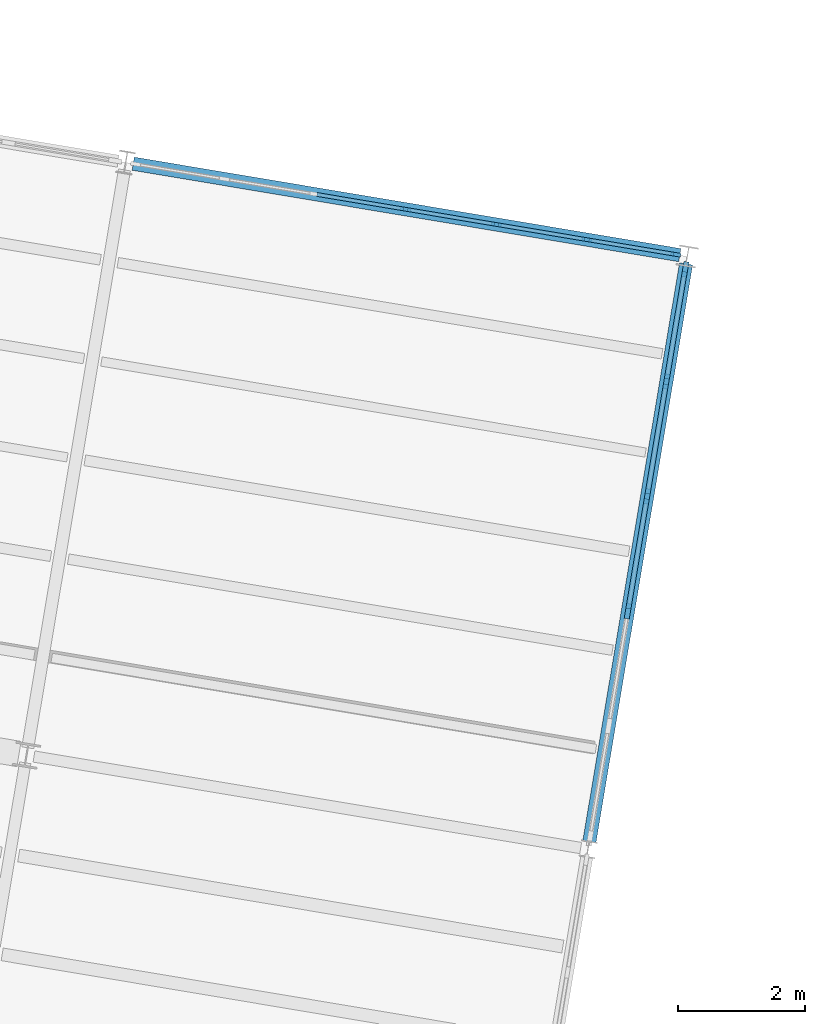
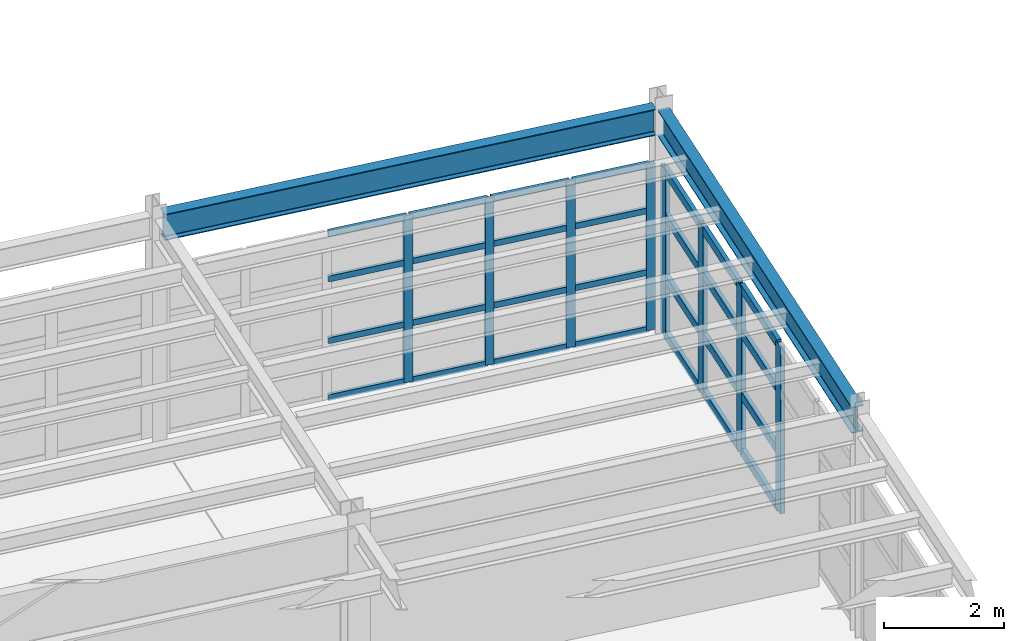
# One storey, part 45 of 102: 36 members, 2 beams, 2 elements without a shape of their own.
"""IFC4 building model written with IfcOpenShell, lengths in metres."""

from ifc_helpers import new_model, si_unit, direction, frame, origin, origin_2d, place, context, subcontext, project, spatial, rectangle, i_section, extrude, material, layer, layer_set, material_profile, profile_set, type_object, element, aggregate, save


model = new_model("IFC4")

# Units and contexts
model_context = context("Model", 3, precision=1e-05, world=origin(), true_north=direction((0.0, 1.0)))
body_context = subcontext(model_context, "Body", "Model", "MODEL_VIEW")
ifc_project = project(units=[si_unit("LENGTHUNIT", "METRE"), si_unit("AREAUNIT", "SQUARE_METRE"), si_unit("VOLUMEUNIT", "CUBIC_METRE"), si_unit("PLANEANGLEUNIT", "RADIAN"), si_unit("MASSUNIT", "GRAM", prefix="KILO")], contexts=[model_context])

# Site, building, storey
site_placement = place(None, origin())
site = spatial("IfcSite", under=ifc_project, at=site_placement, CompositionType="ELEMENT")
building_placement = place(site_placement, origin())
building = spatial("IfcBuilding", under=site, at=building_placement, Name="Vireo Bluff Cable Station", CompositionType="ELEMENT")
storey_placement = place(building_placement, frame((0.0, 0.0, 9.60009765625)))
storey = spatial("IfcBuildingStorey", under=building, at=storey_placement, Name="L02", CompositionType="ELEMENT", Elevation=9.60009765625)

# Curtain wall, members
ifc_material_1 = material(Name="Anodized Aluminium 6063-T6", Category="aluminium")
ifc_layer_1 = layer(ifc_material_1, 0.179931640625, Name="Anodized Aluminium 6063-T6")
ifc_layer_set_1 = layer_set([ifc_layer_1], Name="Anodized Aluminium 6063-T6")
curtain_wall_type_1 = type_object("IfcCurtainWallType", Name="CW-UNIT-1400", PredefinedType="USERDEFINED", material=ifc_layer_set_1)
curtain_wall_1_placement = place(storey_placement, origin())
curtain_wall_1 = element("IfcCurtainWall", 1, at=curtain_wall_1_placement, inside=storey, type_object=curtain_wall_type_1, Name="V4 L02 north curtain wall CW-102", ObjectType="UNITISED CURTAIN WALL", PredefinedType="USERDEFINED")
ifc_material_profile_1 = material_profile(ifc_material_1, rectangle(XDim=0.06005859375, YDim=0.159912109375, at=origin_2d()), Name="ALU-M-60X160")
ifc_profile_set_1 = profile_set([ifc_material_profile_1], Name="Anodized Aluminium 6063-T6")
member_type_1 = type_object("IfcMemberType", Name="CWM-03", PredefinedType="MULLION", material=ifc_profile_set_1)
member_1_placement = place(storey_placement, frame((50.134765625, 92.927001953125, 0.0), z_axis=(0.0, 0.0, 1.0), x_axis=(0.16504767482, 0.986285589997, 0.0)))
member_1 = element("IfcMember", 2, at=member_1_placement, type_object=member_type_1, Name="CW-102 mullion 4", PredefinedType="MULLION", context=body_context, shape_type="SweptSolid", body=[
    extrude(rectangle(XDim=0.06005859375, YDim=0.159912109375, at=origin_2d()), origin(), (0.0, 0.0, 1.0), 3.39990234375),
])
member_2_placement = place(storey_placement, frame((51.5673828125, 92.687255859375, 0.0), z_axis=(0.0, 0.0, 1.0), x_axis=(0.16504767482, 0.986285589997, 0.0)))
member_2 = element("IfcMember", 3, at=member_2_placement, type_object=member_type_1, Name="CW-102 mullion 5", PredefinedType="MULLION", context=body_context, shape_type="SweptSolid", body=[
    extrude(rectangle(XDim=0.06005859375, YDim=0.159912109375, at=origin_2d()), origin(), (0.0, 0.0, 1.0), 3.39990234375),
])
member_3_placement = place(storey_placement, frame((52.999755859375, 92.447509765625, 0.0), z_axis=(0.0, 0.0, 1.0), x_axis=(0.16504767482, 0.986285589997, 0.0)))
member_3 = element("IfcMember", 4, at=member_3_placement, type_object=member_type_1, Name="CW-102 mullion 6", PredefinedType="MULLION", context=body_context, shape_type="SweptSolid", body=[
    extrude(rectangle(XDim=0.06005859375, YDim=0.159912109375, at=origin_2d()), origin(), (0.0, 0.0, 1.0), 3.39990234375),
])
member_4_placement = place(storey_placement, frame((54.40283203125, 92.212890625, 0.0), z_axis=(0.0, 0.0, 1.0), x_axis=(0.16504767482, 0.986285589997, 0.0)))
member_4 = element("IfcMember", 5, at=member_4_placement, type_object=member_type_1, Name="CW-102 mullion 7", PredefinedType="MULLION", context=body_context, shape_type="SweptSolid", body=[
    extrude(rectangle(XDim=0.06005859375, YDim=0.159912109375, at=origin_2d()), origin(), (0.0, 0.0, 1.0), 3.39990234375),
])

ifc_layer_2 = layer(ifc_material_1, 0.159912109375, Name="Anodized Aluminium 6063-T6")
ifc_layer_set_2 = layer_set([ifc_layer_2], Name="Anodized Aluminium 6063-T6")
curtain_wall_type_2 = type_object("IfcCurtainWallType", Name="CW-STICK-1850", PredefinedType="USERDEFINED", material=ifc_layer_set_2)
curtain_wall_2_placement = place(storey_placement, origin())
curtain_wall_2 = element("IfcCurtainWall", 6, at=curtain_wall_2_placement, inside=storey, type_object=curtain_wall_type_2, Name="V4 L02 east curtain wall CW-103", ObjectType="STICK CURTAIN WALL", PredefinedType="USERDEFINED")
ifc_material_profile_2 = material_profile(ifc_material_1, rectangle(XDim=0.080078125, YDim=0.239990234375, at=origin_2d()), Name="ALU-M-80X240")
ifc_profile_set_2 = profile_set([ifc_material_profile_2], Name="Anodized Aluminium 6063-T6")
member_type_2 = type_object("IfcMemberType", Name="CWM-04", PredefinedType="MULLION", material=ifc_profile_set_2)
member_5_placement = place(storey_placement, frame((54.55322265625, 91.981201171875, 0.0), z_axis=(0.0, 0.0, 1.0), x_axis=(0.986285596562, -0.165047635589, 0.0)))
member_5 = element("IfcMember", 7, at=member_5_placement, type_object=member_type_2, Name="CW-103 mullion 1", PredefinedType="MULLION", context=body_context, shape_type="SweptSolid", body=[
    extrude(rectangle(XDim=0.080078125, YDim=0.239990234375, at=origin_2d()), origin(), (0.0, 0.0, 1.0), 3.39990234375),
])
member_6_placement = place(storey_placement, frame((54.255859375, 90.20556640625, 0.0), z_axis=(0.0, 0.0, 1.0), x_axis=(0.986285596562, -0.165047635589, 0.0)))
member_6 = element("IfcMember", 8, at=member_6_placement, type_object=member_type_2, Name="CW-103 mullion 2", PredefinedType="MULLION", context=body_context, shape_type="SweptSolid", body=[
    extrude(rectangle(XDim=0.080078125, YDim=0.239990234375, at=origin_2d()), origin(), (0.0, 0.0, 1.0), 3.39990234375),
])
member_7_placement = place(storey_placement, frame((53.9521484375, 88.39013671875, 0.0), z_axis=(0.0, 0.0, 1.0), x_axis=(0.986285596562, -0.165047635589, 0.0)))
member_7 = element("IfcMember", 9, at=member_7_placement, type_object=member_type_2, Name="CW-103 mullion 3", PredefinedType="MULLION", context=body_context, shape_type="SweptSolid", body=[
    extrude(rectangle(XDim=0.080078125, YDim=0.239990234375, at=origin_2d()), origin(), (0.0, 0.0, 1.0), 3.39990234375),
])
member_8_placement = place(storey_placement, frame((53.6484375, 86.574951171875, 0.0), z_axis=(0.0, 0.0, 1.0), x_axis=(0.986285596562, -0.165047635589, 0.0)))
member_8 = element("IfcMember", 10, at=member_8_placement, type_object=member_type_2, Name="CW-103 mullion 4", PredefinedType="MULLION", context=body_context, shape_type="SweptSolid", body=[
    extrude(rectangle(XDim=0.080078125, YDim=0.239990234375, at=origin_2d()), origin(), (0.0, 0.0, 1.0), 3.39990234375),
])

# Member
ifc_material_profile_3 = material_profile(ifc_material_1, rectangle(XDim=0.06005859375, YDim=0.1201171875, at=origin_2d()), Name="ALU-T-60X120")
ifc_profile_set_3 = profile_set([ifc_material_profile_3], Name="Anodized Aluminium 6063-T6")
member_type_3 = type_object("IfcMemberType", Name="CWT-03", PredefinedType="USERDEFINED", material=ifc_profile_set_3)
member_9_placement = place(storey_placement, frame((48.73193359375, 93.161865234375, 0.02978515625), z_axis=(0.986265677115, -0.165166625394, 0.0), x_axis=(0.165166625394, 0.986265677115, 0.0)))
member_9 = element("IfcMember", 11, at=member_9_placement, type_object=member_type_3, Name="CW-102 transom 3.1", ObjectType="TRANSOM", PredefinedType="USERDEFINED", context=body_context, shape_type="SweptSolid", body=[
    extrude(rectangle(XDim=0.06005859375, YDim=0.1201171875, at=origin_2d()), origin(), (0.0, 0.0, 1.0), 1.392333984375),
])

member_10_placement = place(storey_placement, frame((48.73193359375, 93.161865234375, 1.18994140625), z_axis=(0.986265677115, -0.165166625394, 0.0), x_axis=(0.165166625394, 0.986265677115, 0.0)))
member_10 = element("IfcMember", 12, at=member_10_placement, type_object=member_type_3, Name="CW-102 transom 3.2", ObjectType="TRANSOM", PredefinedType="USERDEFINED", context=body_context, shape_type="SweptSolid", body=[
    extrude(rectangle(XDim=0.06005859375, YDim=0.1201171875, at=origin_2d()), origin(), (0.0, 0.0, 1.0), 1.392333984375),
])

member_11_placement = place(storey_placement, frame((48.73193359375, 93.161865234375, 2.447998046875), z_axis=(0.986265677115, -0.165166625394, 0.0), x_axis=(0.165166625394, 0.986265677115, 0.0)))
member_11 = element("IfcMember", 13, at=member_11_placement, type_object=member_type_3, Name="CW-102 transom 3.3", ObjectType="TRANSOM", PredefinedType="USERDEFINED", context=body_context, shape_type="SweptSolid", body=[
    extrude(rectangle(XDim=0.06005859375, YDim=0.1201171875, at=origin_2d()), origin(), (0.0, 0.0, 1.0), 1.392333984375),
])

member_12_placement = place(storey_placement, frame((48.73193359375, 93.161865234375, 3.369873046875), z_axis=(0.986265677115, -0.165166625394, 0.0), x_axis=(0.165166625394, 0.986265677115, 0.0)))
member_12 = element("IfcMember", 14, at=member_12_placement, type_object=member_type_3, Name="CW-102 transom 3.4", ObjectType="TRANSOM", PredefinedType="USERDEFINED", context=body_context, shape_type="SweptSolid", body=[
    extrude(rectangle(XDim=0.06005859375, YDim=0.1201171875, at=origin_2d()), origin(), (0.0, 0.0, 1.0), 1.392333984375),
])

member_13_placement = place(storey_placement, frame((50.16455078125, 92.922119140625, 0.02978515625), z_axis=(0.986265677115, -0.165166625394, 0.0), x_axis=(0.165166625394, 0.986265677115, 0.0)))
member_13 = element("IfcMember", 15, at=member_13_placement, type_object=member_type_3, Name="CW-102 transom 4.1", ObjectType="TRANSOM", PredefinedType="USERDEFINED", context=body_context, shape_type="SweptSolid", body=[
    extrude(rectangle(XDim=0.06005859375, YDim=0.1201171875, at=origin_2d()), origin(), (0.0, 0.0, 1.0), 1.392333984375),
])

member_14_placement = place(storey_placement, frame((50.16455078125, 92.922119140625, 1.18994140625), z_axis=(0.986265677115, -0.165166625394, 0.0), x_axis=(0.165166625394, 0.986265677115, 0.0)))
member_14 = element("IfcMember", 16, at=member_14_placement, type_object=member_type_3, Name="CW-102 transom 4.2", ObjectType="TRANSOM", PredefinedType="USERDEFINED", context=body_context, shape_type="SweptSolid", body=[
    extrude(rectangle(XDim=0.06005859375, YDim=0.1201171875, at=origin_2d()), origin(), (0.0, 0.0, 1.0), 1.392333984375),
])

member_15_placement = place(storey_placement, frame((50.16455078125, 92.922119140625, 2.447998046875), z_axis=(0.986265677115, -0.165166625394, 0.0), x_axis=(0.165166625394, 0.986265677115, 0.0)))
member_15 = element("IfcMember", 17, at=member_15_placement, type_object=member_type_3, Name="CW-102 transom 4.3", ObjectType="TRANSOM", PredefinedType="USERDEFINED", context=body_context, shape_type="SweptSolid", body=[
    extrude(rectangle(XDim=0.06005859375, YDim=0.1201171875, at=origin_2d()), origin(), (0.0, 0.0, 1.0), 1.392333984375),
])

member_16_placement = place(storey_placement, frame((50.16455078125, 92.922119140625, 3.369873046875), z_axis=(0.986265677115, -0.165166625394, 0.0), x_axis=(0.165166625394, 0.986265677115, 0.0)))
member_16 = element("IfcMember", 18, at=member_16_placement, type_object=member_type_3, Name="CW-102 transom 4.4", ObjectType="TRANSOM", PredefinedType="USERDEFINED", context=body_context, shape_type="SweptSolid", body=[
    extrude(rectangle(XDim=0.06005859375, YDim=0.1201171875, at=origin_2d()), origin(), (0.0, 0.0, 1.0), 1.392333984375),
])

member_17_placement = place(storey_placement, frame((51.596923828125, 92.682373046875, 0.02978515625), z_axis=(0.986265677115, -0.165166625394, 0.0), x_axis=(0.165166625394, 0.986265677115, 0.0)))
member_17 = element("IfcMember", 19, at=member_17_placement, type_object=member_type_3, Name="CW-102 transom 5.1", ObjectType="TRANSOM", PredefinedType="USERDEFINED", context=body_context, shape_type="SweptSolid", body=[
    extrude(rectangle(XDim=0.06005859375, YDim=0.1201171875, at=origin_2d()), origin(), (0.0, 0.0, 1.0), 1.392333984375),
])

member_18_placement = place(storey_placement, frame((51.596923828125, 92.682373046875, 1.18994140625), z_axis=(0.986265677115, -0.165166625394, 0.0), x_axis=(0.165166625394, 0.986265677115, 0.0)))
member_18 = element("IfcMember", 20, at=member_18_placement, type_object=member_type_3, Name="CW-102 transom 5.2", ObjectType="TRANSOM", PredefinedType="USERDEFINED", context=body_context, shape_type="SweptSolid", body=[
    extrude(rectangle(XDim=0.06005859375, YDim=0.1201171875, at=origin_2d()), origin(), (0.0, 0.0, 1.0), 1.392333984375),
])

member_19_placement = place(storey_placement, frame((51.596923828125, 92.682373046875, 2.447998046875), z_axis=(0.986265677115, -0.165166625394, 0.0), x_axis=(0.165166625394, 0.986265677115, 0.0)))
member_19 = element("IfcMember", 21, at=member_19_placement, type_object=member_type_3, Name="CW-102 transom 5.3", ObjectType="TRANSOM", PredefinedType="USERDEFINED", context=body_context, shape_type="SweptSolid", body=[
    extrude(rectangle(XDim=0.06005859375, YDim=0.1201171875, at=origin_2d()), origin(), (0.0, 0.0, 1.0), 1.392333984375),
])

member_20_placement = place(storey_placement, frame((51.596923828125, 92.682373046875, 3.369873046875), z_axis=(0.986265677115, -0.165166625394, 0.0), x_axis=(0.165166625394, 0.986265677115, 0.0)))
member_20 = element("IfcMember", 22, at=member_20_placement, type_object=member_type_3, Name="CW-102 transom 5.4", ObjectType="TRANSOM", PredefinedType="USERDEFINED", context=body_context, shape_type="SweptSolid", body=[
    extrude(rectangle(XDim=0.06005859375, YDim=0.1201171875, at=origin_2d()), origin(), (0.0, 0.0, 1.0), 1.392333984375),
])

member_21_placement = place(storey_placement, frame((53.029541015625, 92.442626953125, 0.02978515625), z_axis=(0.986287168518, -0.16503824168, 0.0), x_axis=(0.16503824168, 0.986287168518, 0.0)))
member_21 = element("IfcMember", 23, at=member_21_placement, type_object=member_type_3, Name="CW-102 transom 6.1", ObjectType="TRANSOM", PredefinedType="USERDEFINED", context=body_context, shape_type="SweptSolid", body=[
    extrude(rectangle(XDim=0.06005859375, YDim=0.1201171875, at=origin_2d()), origin(), (0.0, 0.0, 1.0), 1.362548828125),
])

member_22_placement = place(storey_placement, frame((53.029541015625, 92.442626953125, 1.18994140625), z_axis=(0.986287168518, -0.16503824168, 0.0), x_axis=(0.16503824168, 0.986287168518, 0.0)))
member_22 = element("IfcMember", 24, at=member_22_placement, type_object=member_type_3, Name="CW-102 transom 6.2", ObjectType="TRANSOM", PredefinedType="USERDEFINED", context=body_context, shape_type="SweptSolid", body=[
    extrude(rectangle(XDim=0.06005859375, YDim=0.1201171875, at=origin_2d()), origin(), (0.0, 0.0, 1.0), 1.362548828125),
])

member_23_placement = place(storey_placement, frame((53.029541015625, 92.442626953125, 2.447998046875), z_axis=(0.986287168518, -0.16503824168, 0.0), x_axis=(0.16503824168, 0.986287168518, 0.0)))
member_23 = element("IfcMember", 25, at=member_23_placement, type_object=member_type_3, Name="CW-102 transom 6.3", ObjectType="TRANSOM", PredefinedType="USERDEFINED", context=body_context, shape_type="SweptSolid", body=[
    extrude(rectangle(XDim=0.06005859375, YDim=0.1201171875, at=origin_2d()), origin(), (0.0, 0.0, 1.0), 1.362548828125),
])

member_24_placement = place(storey_placement, frame((53.029541015625, 92.442626953125, 3.369873046875), z_axis=(0.986287168518, -0.16503824168, 0.0), x_axis=(0.16503824168, 0.986287168518, 0.0)))
member_24 = element("IfcMember", 26, at=member_24_placement, type_object=member_type_3, Name="CW-102 transom 6.4", ObjectType="TRANSOM", PredefinedType="USERDEFINED", context=body_context, shape_type="SweptSolid", body=[
    extrude(rectangle(XDim=0.06005859375, YDim=0.1201171875, at=origin_2d()), origin(), (0.0, 0.0, 1.0), 1.362548828125),
])

aggregate(curtain_wall_1, [member_1, member_2, member_3, member_4, member_9, member_10, member_11, member_12, member_13, member_14, member_15, member_16, member_17, member_18, member_19, member_20, member_21, member_22, member_23, member_24])

ifc_material_profile_4 = material_profile(ifc_material_1, rectangle(XDim=0.080078125, YDim=0.175048828125, at=origin_2d()), Name="ALU-T-80X175")
ifc_profile_set_4 = profile_set([ifc_material_profile_4], Name="Anodized Aluminium 6063-T6")
member_type_4 = type_object("IfcMemberType", Name="CWT-04", PredefinedType="USERDEFINED", material=ifc_profile_set_4)
member_25_placement = place(storey_placement, frame((54.546630859375, 91.94189453125, 0.039794921875), z_axis=(-0.165158233906, -0.986267082373, 0.0), x_axis=(0.986267082373, -0.165158233906, 0.0)))
member_25 = element("IfcMember", 27, at=member_25_placement, type_object=member_type_4, Name="CW-103 transom 1.1", ObjectType="TRANSOM", PredefinedType="USERDEFINED", context=body_context, shape_type="SweptSolid", body=[
    extrude(rectangle(XDim=0.080078125, YDim=0.175048828125, at=origin_2d()), origin(), (0.0, 0.0, 1.0), 1.720703125),
])

member_26_placement = place(storey_placement, frame((54.546630859375, 91.94189453125, 1.18994140625), z_axis=(-0.165158233906, -0.986267082373, 0.0), x_axis=(0.986267082373, -0.165158233906, 0.0)))
member_26 = element("IfcMember", 28, at=member_26_placement, type_object=member_type_4, Name="CW-103 transom 1.2", ObjectType="TRANSOM", PredefinedType="USERDEFINED", context=body_context, shape_type="SweptSolid", body=[
    extrude(rectangle(XDim=0.080078125, YDim=0.175048828125, at=origin_2d()), origin(), (0.0, 0.0, 1.0), 1.720703125),
])

member_27_placement = place(storey_placement, frame((54.546630859375, 91.94189453125, 2.447998046875), z_axis=(-0.165158233906, -0.986267082373, 0.0), x_axis=(0.986267082373, -0.165158233906, 0.0)))
member_27 = element("IfcMember", 29, at=member_27_placement, type_object=member_type_4, Name="CW-103 transom 1.3", ObjectType="TRANSOM", PredefinedType="USERDEFINED", context=body_context, shape_type="SweptSolid", body=[
    extrude(rectangle(XDim=0.080078125, YDim=0.175048828125, at=origin_2d()), origin(), (0.0, 0.0, 1.0), 1.720703125),
])

member_28_placement = place(storey_placement, frame((54.546630859375, 91.94189453125, 3.35986328125), z_axis=(-0.165158233906, -0.986267082373, 0.0), x_axis=(0.986267082373, -0.165158233906, 0.0)))
member_28 = element("IfcMember", 30, at=member_28_placement, type_object=member_type_4, Name="CW-103 transom 1.4", ObjectType="TRANSOM", PredefinedType="USERDEFINED", context=body_context, shape_type="SweptSolid", body=[
    extrude(rectangle(XDim=0.080078125, YDim=0.175048828125, at=origin_2d()), origin(), (0.0, 0.0, 1.0), 1.720703125),
])

member_29_placement = place(storey_placement, frame((54.249267578125, 90.166015625, 0.039794921875), z_axis=(-0.16502863381, -0.986288776182, 0.0), x_axis=(0.986288776182, -0.16502863381, 0.0)))
member_29 = element("IfcMember", 31, at=member_29_placement, type_object=member_type_4, Name="CW-103 transom 2.1", ObjectType="TRANSOM", PredefinedType="USERDEFINED", context=body_context, shape_type="SweptSolid", body=[
    extrude(rectangle(XDim=0.080078125, YDim=0.175048828125, at=origin_2d()), origin(), (0.0, 0.0, 1.0), 1.760498046875),
])

member_30_placement = place(storey_placement, frame((54.249267578125, 90.166015625, 1.18994140625), z_axis=(-0.16502863381, -0.986288776182, 0.0), x_axis=(0.986288776182, -0.16502863381, 0.0)))
member_30 = element("IfcMember", 32, at=member_30_placement, type_object=member_type_4, Name="CW-103 transom 2.2", ObjectType="TRANSOM", PredefinedType="USERDEFINED", context=body_context, shape_type="SweptSolid", body=[
    extrude(rectangle(XDim=0.080078125, YDim=0.175048828125, at=origin_2d()), origin(), (0.0, 0.0, 1.0), 1.760498046875),
])

member_31_placement = place(storey_placement, frame((54.249267578125, 90.166015625, 2.447998046875), z_axis=(-0.16502863381, -0.986288776182, 0.0), x_axis=(0.986288776182, -0.16502863381, 0.0)))
member_31 = element("IfcMember", 33, at=member_31_placement, type_object=member_type_4, Name="CW-103 transom 2.3", ObjectType="TRANSOM", PredefinedType="USERDEFINED", context=body_context, shape_type="SweptSolid", body=[
    extrude(rectangle(XDim=0.080078125, YDim=0.175048828125, at=origin_2d()), origin(), (0.0, 0.0, 1.0), 1.760498046875),
])

member_32_placement = place(storey_placement, frame((54.249267578125, 90.166015625, 3.35986328125), z_axis=(-0.16502863381, -0.986288776182, 0.0), x_axis=(0.986288776182, -0.16502863381, 0.0)))
member_32 = element("IfcMember", 34, at=member_32_placement, type_object=member_type_4, Name="CW-103 transom 2.4", ObjectType="TRANSOM", PredefinedType="USERDEFINED", context=body_context, shape_type="SweptSolid", body=[
    extrude(rectangle(XDim=0.080078125, YDim=0.175048828125, at=origin_2d()), origin(), (0.0, 0.0, 1.0), 1.760498046875),
])

member_33_placement = place(storey_placement, frame((53.945556640625, 88.350830078125, 0.039794921875), z_axis=(-0.16502863381, -0.986288776182, 0.0), x_axis=(0.986288776182, -0.16502863381, 0.0)))
member_33 = element("IfcMember", 35, at=member_33_placement, type_object=member_type_4, Name="CW-103 transom 3.1", ObjectType="TRANSOM", PredefinedType="USERDEFINED", context=body_context, shape_type="SweptSolid", body=[
    extrude(rectangle(XDim=0.080078125, YDim=0.175048828125, at=origin_2d()), origin(), (0.0, 0.0, 1.0), 1.760498046875),
])

member_34_placement = place(storey_placement, frame((53.945556640625, 88.350830078125, 1.18994140625), z_axis=(-0.16502863381, -0.986288776182, 0.0), x_axis=(0.986288776182, -0.16502863381, 0.0)))
member_34 = element("IfcMember", 36, at=member_34_placement, type_object=member_type_4, Name="CW-103 transom 3.2", ObjectType="TRANSOM", PredefinedType="USERDEFINED", context=body_context, shape_type="SweptSolid", body=[
    extrude(rectangle(XDim=0.080078125, YDim=0.175048828125, at=origin_2d()), origin(), (0.0, 0.0, 1.0), 1.760498046875),
])

member_35_placement = place(storey_placement, frame((53.945556640625, 88.350830078125, 2.447998046875), z_axis=(-0.16502863381, -0.986288776182, 0.0), x_axis=(0.986288776182, -0.16502863381, 0.0)))
member_35 = element("IfcMember", 37, at=member_35_placement, type_object=member_type_4, Name="CW-103 transom 3.3", ObjectType="TRANSOM", PredefinedType="USERDEFINED", context=body_context, shape_type="SweptSolid", body=[
    extrude(rectangle(XDim=0.080078125, YDim=0.175048828125, at=origin_2d()), origin(), (0.0, 0.0, 1.0), 1.760498046875),
])

member_36_placement = place(storey_placement, frame((53.945556640625, 88.350830078125, 3.35986328125), z_axis=(-0.16502863381, -0.986288776182, 0.0), x_axis=(0.986288776182, -0.16502863381, 0.0)))
member_36 = element("IfcMember", 38, at=member_36_placement, type_object=member_type_4, Name="CW-103 transom 3.4", ObjectType="TRANSOM", PredefinedType="USERDEFINED", context=body_context, shape_type="SweptSolid", body=[
    extrude(rectangle(XDim=0.080078125, YDim=0.175048828125, at=origin_2d()), origin(), (0.0, 0.0, 1.0), 1.760498046875),
])

aggregate(curtain_wall_2, [member_5, member_6, member_7, member_8, member_25, member_26, member_27, member_28, member_29, member_30, member_31, member_32, member_33, member_34, member_35, member_36])

# Beams
ifc_material_2 = material(Name="Steel ASTM A992 Gr. 50", Category="steel")
ifc_material_profile_5 = material_profile(ifc_material_2, i_section(OverallWidth=0.2099609375, OverallDepth=0.535888671875, WebThickness=0.010986328125, FlangeThickness=0.017333984375, FilletRadius=0.012939453125, at=origin_2d()), Name="W21X68")
ifc_profile_set_5 = profile_set([ifc_material_profile_5], Name="Steel ASTM A992 Gr. 50")
beam_type = type_object("IfcBeamType", Name="SPN-W21X68", PredefinedType="SPANDREL", material=ifc_profile_set_5)
beam_1_placement = place(storey_placement, frame((45.82861328125, 93.647705078125, 4.27197265625), z_axis=(0.986285239719, -0.16504976799, 0.0), x_axis=(0.16504976799, 0.986285239719, 0.0)))
element("IfcBeam", 39, at=beam_1_placement, inside=storey, type_object=beam_type, Name="V4 L02 spandrel 1025", PredefinedType="SPANDREL", context=body_context, shape_type="SweptSolid", body=[
    extrude(i_section(OverallWidth=0.2099609375, OverallDepth=0.535888671875, WebThickness=0.010986328125, FlangeThickness=0.017333984375, FilletRadius=0.012939453125, at=origin_2d()), origin(), (0.0, 0.0, 1.0), 8.759765625),
])
beam_2_placement = place(storey_placement, frame((53.03857421875, 82.9306640625, 4.27197265625), z_axis=(0.165044536891, 0.986286115102, 0.0), x_axis=(-0.986286115102, 0.165044536891, 0.0)))
element("IfcBeam", 40, at=beam_2_placement, inside=storey, type_object=beam_type, Name="V4 L02 spandrel 1029", PredefinedType="SPANDREL", context=body_context, shape_type="SweptSolid", body=[
    extrude(i_section(OverallWidth=0.2099609375, OverallDepth=0.535888671875, WebThickness=0.010986328125, FlangeThickness=0.017333984375, FilletRadius=0.012939453125, at=origin_2d()), origin(), (0.0, 0.0, 1.0), 9.260009765625),
])

save(model, "model.ifc")
